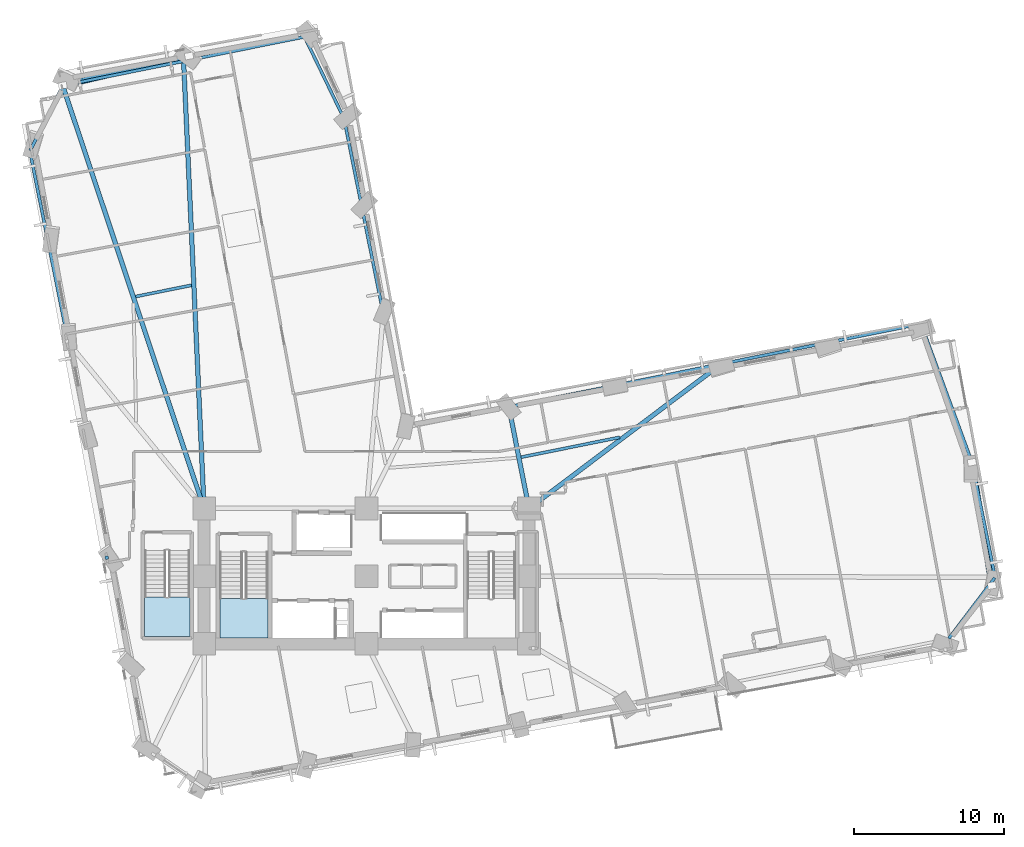
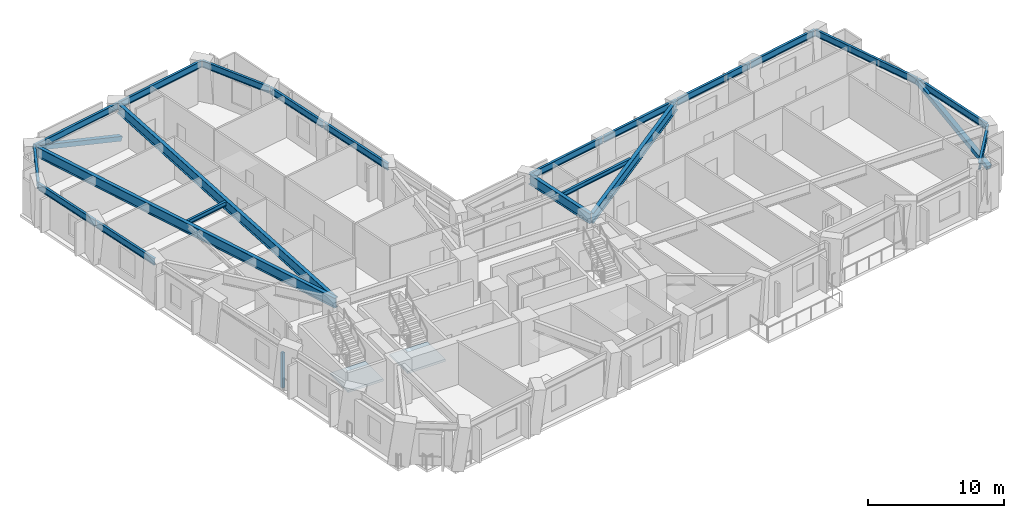
# One storey, part 2 of 16: 21 beams, 2 members, 2 slabs, 1 plate, 2 elements without a shape of their own.
"""IFC4 building model written with IfcOpenShell, lengths in metres."""

from ifc_helpers import new_model, si_unit, direction, frame, origin, origin_2d, place, context, subcontext, project, spatial, polyline, rectangle, hollow_rectangle, i_section, outline, extrude, material, layer, layer_set, material_profile, profile_set, type_object, element, aggregate, save


model = new_model("IFC4")

# Units and contexts
model_context = context("Model", 3, precision=1e-05, world=origin(), true_north=direction((0.0, 1.0)))
body_context = subcontext(model_context, "Body", "Model", "MODEL_VIEW")
ifc_project = project(units=[si_unit("LENGTHUNIT", "METRE"), si_unit("AREAUNIT", "SQUARE_METRE"), si_unit("VOLUMEUNIT", "CUBIC_METRE"), si_unit("PLANEANGLEUNIT", "RADIAN"), si_unit("MASSUNIT", "GRAM", prefix="KILO")], contexts=[model_context])

# Site, building, storey
site_placement = place(None, origin())
site = spatial("IfcSite", under=ifc_project, at=site_placement, CompositionType="ELEMENT")
building_placement = place(site_placement, origin())
building = spatial("IfcBuilding", under=site, at=building_placement, Name="Gaonmaruhae Medical Tower", CompositionType="ELEMENT")
storey_placement = place(building_placement, frame((0.0, 0.0, 67.0)))
storey = spatial("IfcBuildingStorey", under=building, at=storey_placement, Name="L15", CompositionType="ELEMENT", Elevation=67.0)

# Beams
ifc_material_1 = material(Name="Steel SM355", Category="steel")
ifc_material_profile_1 = material_profile(ifc_material_1, i_section(OverallWidth=0.199951171875, OverallDepth=0.39990234375, WebThickness=0.008056640625, FlangeThickness=0.012939453125, FilletRadius=0.012939453125, at=origin_2d()), Name="H-400x200x8x13")
ifc_profile_set_1 = profile_set([ifc_material_profile_1], Name="Steel SM355")
beam_type_1 = type_object("IfcBeamType", Name="FJ-01 Lower Zone Ward Floor Joist (H-400x200x8x13)", PredefinedType="JOIST", material=ifc_profile_set_1)
beam_1_placement = place(storey_placement, frame((41.640380859375, 21.531005859375, 3.580078125), z_axis=(-0.98027350291, -0.197645793007, 0.0), x_axis=(0.197645793007, -0.98027350291, 0.0)))
element("IfcBeam", 1, at=beam_1_placement, inside=storey, type_object=beam_type_1, Name="L15 Secondary Floor Joist FJ05", PredefinedType="JOIST", context=body_context, shape_type="SweptSolid", body=[
    extrude(i_section(OverallWidth=0.199951171875, OverallDepth=0.39990234375, WebThickness=0.008056640625, FlangeThickness=0.012939453125, FilletRadius=0.012939453125, at=origin_2d()), origin(), (0.0, 0.0, 1.0), 6.690185546875),
])
beam_2_placement = place(storey_placement, frame((13.16552734375, 31.63671875, 3.580078125), z_axis=(-0.980276852356, -0.197629179867, 0.0), x_axis=(0.197629179867, -0.980276852356, 0.0)))
element("IfcBeam", 2, at=beam_2_placement, inside=storey, type_object=beam_type_1, Name="L15 Secondary Floor Joist FJ09", PredefinedType="JOIST", context=body_context, shape_type="SweptSolid", body=[
    extrude(i_section(OverallWidth=0.199951171875, OverallDepth=0.39990234375, WebThickness=0.008056640625, FlangeThickness=0.012939453125, FilletRadius=0.012939453125, at=origin_2d()), origin(), (0.0, 0.0, 1.0), 3.78515625),
])

# Members
ifc_material_2 = material(Name="Steel SM420", Category="steel")
ifc_material_profile_2 = material_profile(ifc_material_2, hollow_rectangle(XDim=0.39990234375, YDim=0.39990234375, WallThickness=0.01611328125, at=origin_2d()), Name="RHS-400x400x16")
ifc_profile_set_2 = profile_set([ifc_material_profile_2], Name="Steel SM420")
member_type = type_object("IfcMemberType", Name="PB-01 Perimeter Solid-Bay Tube Brace Lower (RHS-400x400x16)", PredefinedType="BRACE", material=ifc_profile_set_2)
member_1_placement = place(storey_placement, frame((66.373779296875, 11.6767578125, 0.25), z_axis=(-0.148894782564, 0.917992970339, 0.367585704474), x_axis=(-0.987100200455, -0.160103698464, 0.0)))
element("IfcMember", 3, at=member_1_placement, inside=storey, type_object=member_type, Name="L15 Perimeter Tube Solid-Bay Brace E01-E02", PredefinedType="BRACE", context=body_context, shape_type="SweptSolid", body=[
    extrude(hollow_rectangle(XDim=0.39990234375, YDim=0.39990234375, WallThickness=0.01611328125, at=origin_2d()), origin(), (0.0, 0.0, 1.0), 8.923095703125),
])
member_2_placement = place(storey_placement, frame((13.00341796875, 46.88037109375, 0.25), z_axis=(-0.910169301628, -0.212889477764, 0.355344779942), x_axis=(0.227753757664, -0.973718761178, 0.0)))
element("IfcMember", 4, at=member_2_placement, inside=storey, type_object=member_type, Name="L15 Perimeter Tube Solid-Bay Brace N02-N03", PredefinedType="BRACE", context=body_context, shape_type="SweptSolid", body=[
    extrude(hollow_rectangle(XDim=0.39990234375, YDim=0.39990234375, WallThickness=0.01611328125, at=origin_2d()), origin(), (0.0, 0.0, 1.0), 9.23046875),
])

# Beams
ifc_material_profile_3 = material_profile(ifc_material_2, i_section(OverallWidth=0.300048828125, OverallDepth=0.89990234375, WebThickness=0.01611328125, FlangeThickness=0.028076171875, FilletRadius=0.01806640625, at=origin_2d()), Name="H-900x300x16x28")
ifc_profile_set_3 = profile_set([ifc_material_profile_3], Name="Steel SM420")
beam_type_2 = type_object("IfcBeamType", Name="PG-01 Zone 1 Radial Floor Girder (H-900x300x16x28)", PredefinedType="BEAM", material=ifc_profile_set_3)
beam_3_placement = place(storey_placement, frame((35.639892578125, 16.830078125, 3.330078125), z_axis=(0.799381580309, 0.600823675517, 0.0), x_axis=(-0.600823675517, 0.799381580309, 0.0)))
element("IfcBeam", 5, at=beam_3_placement, inside=storey, type_object=beam_type_2, Name="L15 Radial Primary Girder EN02", PredefinedType="BEAM", context=body_context, shape_type="SweptSolid", body=[
    extrude(i_section(OverallWidth=0.300048828125, OverallDepth=0.89990234375, WebThickness=0.01611328125, FlangeThickness=0.028076171875, FilletRadius=0.01806640625, at=origin_2d()), origin(), (0.0, 0.0, 1.0), 15.881103515625),
])
beam_4_placement = place(storey_placement, frame((35.59033203125, 16.84912109375, 3.330078125), z_axis=(-0.194704807117, 0.980861885326, 0.0), x_axis=(-0.980861885326, -0.194704807117, 0.0)))
element("IfcBeam", 6, at=beam_4_placement, inside=storey, type_object=beam_type_2, Name="L15 Radial Primary Girder EN04", PredefinedType="BEAM", context=body_context, shape_type="SweptSolid", body=[
    extrude(i_section(OverallWidth=0.300048828125, OverallDepth=0.89990234375, WebThickness=0.01611328125, FlangeThickness=0.028076171875, FilletRadius=0.01806640625, at=origin_2d()), origin(), (0.0, 0.0, 1.0), 6.787353515625),
])
beam_5_placement = place(storey_placement, frame((13.997802734375, 16.849853515625, 3.330078125), z_axis=(-0.045680906286, 0.998956082519, 0.0), x_axis=(-0.998956082519, -0.045680906286, 0.0)))
element("IfcBeam", 7, at=beam_5_placement, inside=storey, type_object=beam_type_2, Name="L15 Radial Primary Girder N02", PredefinedType="BEAM", context=body_context, shape_type="SweptSolid", body=[
    extrude(i_section(OverallWidth=0.300048828125, OverallDepth=0.89990234375, WebThickness=0.01611328125, FlangeThickness=0.028076171875, FilletRadius=0.01806640625, at=origin_2d()), origin(), (0.0, 0.0, 1.0), 29.667236328125),
])
beam_6_placement = place(storey_placement, frame((13.984130859375, 16.847412109375, 3.330078125), z_axis=(-0.317023436144, 0.948417703829, 0.0), x_axis=(-0.948417703829, -0.317023436144, 0.0)))
element("IfcBeam", 8, at=beam_6_placement, inside=storey, type_object=beam_type_2, Name="L15 Radial Primary Girder N03", PredefinedType="BEAM", context=body_context, shape_type="SweptSolid", body=[
    extrude(i_section(OverallWidth=0.300048828125, OverallDepth=0.89990234375, WebThickness=0.01611328125, FlangeThickness=0.028076171875, FilletRadius=0.01806640625, at=origin_2d()), origin(), (0.0, 0.0, 1.0), 29.544189453125),
])
ifc_material_profile_4 = material_profile(ifc_material_1, i_section(OverallWidth=0.199951171875, OverallDepth=0.60009765625, WebThickness=0.010986328125, FlangeThickness=0.01708984375, FilletRadius=0.012939453125, at=origin_2d()), Name="H-600x200x11x17")
ifc_profile_set_4 = profile_set([ifc_material_profile_4], Name="Steel SM355")
beam_type_3 = type_object("IfcBeamType", Name="SP-01 Lower Perimeter Spandrel Beam (H-600x200x11x17)", PredefinedType="SPANDREL", material=ifc_profile_set_4)
beam_7_placement = place(storey_placement, frame((63.509033203125, 8.159912109375, 3.47998046875), z_axis=(0.603917180237, 0.79704707478, 0.0), x_axis=(-0.79704707478, 0.603917180237, 0.0)))
element("IfcBeam", 9, at=beam_7_placement, inside=storey, type_object=beam_type_3, Name="L15 Perimeter Spandrel Beam S08-E01", PredefinedType="SPANDREL", context=body_context, shape_type="SweptSolid", body=[
    extrude(i_section(OverallWidth=0.199951171875, OverallDepth=0.60009765625, WebThickness=0.010986328125, FlangeThickness=0.01708984375, FilletRadius=0.012939453125, at=origin_2d()), origin(), (0.0, 0.0, 1.0), 5.056396484375),
])
beam_8_placement = place(storey_placement, frame((66.5791015625, 12.26123046875, 3.47998046875), z_axis=(-0.197654558417, 0.98027173556, 0.0), x_axis=(-0.98027173556, -0.197654558417, 0.0)))
element("IfcBeam", 10, at=beam_8_placement, inside=storey, type_object=beam_type_3, Name="L15 Perimeter Spandrel Beam E01-E02", PredefinedType="SPANDREL", context=body_context, shape_type="SweptSolid", body=[
    extrude(i_section(OverallWidth=0.199951171875, OverallDepth=0.60009765625, WebThickness=0.010986328125, FlangeThickness=0.01708984375, FilletRadius=0.012939453125, at=origin_2d()), origin(), (0.0, 0.0, 1.0), 7.719970703125),
])
beam_9_placement = place(storey_placement, frame((65.031494140625, 19.905517578125, 3.47998046875), z_axis=(-0.345141664306, 0.938550601491, 0.0), x_axis=(-0.938550601491, -0.345141664306, 0.0)))
element("IfcBeam", 11, at=beam_9_placement, inside=storey, type_object=beam_type_3, Name="L15 Perimeter Spandrel Beam E02-E03", PredefinedType="SPANDREL", context=body_context, shape_type="SweptSolid", body=[
    extrude(i_section(OverallWidth=0.199951171875, OverallDepth=0.60009765625, WebThickness=0.010986328125, FlangeThickness=0.01708984375, FilletRadius=0.012939453125, at=origin_2d()), origin(), (0.0, 0.0, 1.0), 9.7353515625),
])
beam_10_placement = place(storey_placement, frame((61.618408203125, 29.072265625, 3.47998046875), z_axis=(-0.980273981456, -0.197643419521, 0.0), x_axis=(0.197643419521, -0.980273981456, 0.0)))
element("IfcBeam", 12, at=beam_10_placement, inside=storey, type_object=beam_type_3, Name="L15 Perimeter Spandrel Beam E03-EN01", PredefinedType="SPANDREL", context=body_context, shape_type="SweptSolid", body=[
    extrude(i_section(OverallWidth=0.199951171875, OverallDepth=0.60009765625, WebThickness=0.010986328125, FlangeThickness=0.01708984375, FilletRadius=0.012939453125, at=origin_2d()), origin(), (0.0, 0.0, 1.0), 6.270263671875),
])
for number, where, z_axis, x_axis, name in (
    (13, (55.3935546875, 27.817138671875, 3.47998046875), (-0.980273512802, -0.197645743941, 0.0), (0.197645743941, -0.980273512802, 0.0), "L15 Perimeter Spandrel Beam EN01-EN02"),
    (14, (48.335693359375, 26.39404296875, 3.47998046875), (-0.980273512802, -0.197645743941, 0.0), (0.197645743941, -0.980273512802, 0.0), "L15 Perimeter Spandrel Beam EN02-EN03"),
    (15, (41.277587890625, 24.970947265625, 3.47998046875), (-0.980273512802, -0.197645743941, 0.0), (0.197645743941, -0.980273512802, 0.0), "L15 Perimeter Spandrel Beam EN03-EN04"),
    (16, (25.90625, 29.818359375, 3.47998046875), (-0.197645743941, 0.980273512802, 0.0), (-0.980273512802, -0.197645743941, 0.0), "L15 Perimeter Spandrel Beam NE01-NE02"),
):
    element("IfcBeam", number, at=place(storey_placement, frame(where, z_axis=z_axis, x_axis=x_axis)), inside=storey, type_object=beam_type_3, Name=name, PredefinedType="SPANDREL", context=body_context, shape_type="SweptSolid", body=[
        extrude(i_section(OverallWidth=0.199951171875, OverallDepth=0.60009765625, WebThickness=0.010986328125, FlangeThickness=0.01708984375, FilletRadius=0.012939453125, at=origin_2d()), origin(), (0.0, 0.0, 1.0), 7.119873046875),
    ])
beam_11_placement = place(storey_placement, frame((24.483154296875, 36.876220703125, 3.47998046875), z_axis=(-0.197662383914, 0.980270157653, 0.0), x_axis=(-0.980270157653, -0.197662383914, 0.0)))
element("IfcBeam", 17, at=beam_11_placement, inside=storey, type_object=beam_type_3, Name="L15 Perimeter Spandrel Beam NE02-NE03", PredefinedType="SPANDREL", context=body_context, shape_type="SweptSolid", body=[
    extrude(i_section(OverallWidth=0.199951171875, OverallDepth=0.60009765625, WebThickness=0.010986328125, FlangeThickness=0.01708984375, FilletRadius=0.012939453125, at=origin_2d()), origin(), (0.0, 0.0, 1.0), 5.919921875),
])
beam_12_placement = place(storey_placement, frame((23.287841796875, 42.754638671875, 3.47998046875), z_axis=(-0.434947253691, 0.900455932573, 0.0), x_axis=(-0.900455932573, -0.434947253691, 0.0)))
element("IfcBeam", 18, at=beam_12_placement, inside=storey, type_object=beam_type_3, Name="L15 Perimeter Spandrel Beam NE03-N01", PredefinedType="SPANDREL", context=body_context, shape_type="SweptSolid", body=[
    extrude(i_section(OverallWidth=0.199951171875, OverallDepth=0.60009765625, WebThickness=0.010986328125, FlangeThickness=0.01708984375, FilletRadius=0.012939453125, at=origin_2d()), origin(), (0.0, 0.0, 1.0), 5.95947265625),
])
beam_13_placement = place(storey_placement, frame((20.63916015625, 48.14892578125, 3.47998046875), z_axis=(-0.980270696607, -0.197659711054, 0.0), x_axis=(0.197659711054, -0.980270696607, 0.0)))
element("IfcBeam", 19, at=beam_13_placement, inside=storey, type_object=beam_type_3, Name="L15 Perimeter Spandrel Beam N01-N02", PredefinedType="SPANDREL", context=body_context, shape_type="SweptSolid", body=[
    extrude(i_section(OverallWidth=0.199951171875, OverallDepth=0.60009765625, WebThickness=0.010986328125, FlangeThickness=0.01708984375, FilletRadius=0.012939453125, at=origin_2d()), origin(), (0.0, 0.0, 1.0), 8.119873046875),
])
beam_14_placement = place(storey_placement, frame((12.60107421875, 46.528076171875, 3.47998046875), z_axis=(-0.980271871249, -0.197653885462, 0.0), x_axis=(0.197653885462, -0.980271871249, 0.0)))
element("IfcBeam", 20, at=beam_14_placement, inside=storey, type_object=beam_type_3, Name="L15 Perimeter Spandrel Beam N02-N03", PredefinedType="SPANDREL", context=body_context, shape_type="SweptSolid", body=[
    extrude(i_section(OverallWidth=0.199951171875, OverallDepth=0.60009765625, WebThickness=0.010986328125, FlangeThickness=0.01708984375, FilletRadius=0.012939453125, at=origin_2d()), origin(), (0.0, 0.0, 1.0), 8.1201171875),
])
beam_15_placement = place(storey_placement, frame((4.584228515625, 44.87939453125, 3.47998046875), z_axis=(-0.446643948615, -0.894711787765, 0.0), x_axis=(0.894711787765, -0.446643948615, 0.0)))
element("IfcBeam", 21, at=beam_15_placement, inside=storey, type_object=beam_type_3, Name="L15 Perimeter Spandrel Beam N03-W01", PredefinedType="SPANDREL", context=body_context, shape_type="SweptSolid", body=[
    extrude(i_section(OverallWidth=0.199951171875, OverallDepth=0.60009765625, WebThickness=0.010986328125, FlangeThickness=0.01708984375, FilletRadius=0.012939453125, at=origin_2d()), origin(), (0.0, 0.0, 1.0), 4.80078125),
])
beam_16_placement = place(storey_placement, frame((2.43017578125, 40.509033203125, 3.47998046875), z_axis=(0.197631387896, -0.980276407203, 0.0), x_axis=(0.980276407203, 0.197631387896, 0.0)))
element("IfcBeam", 22, at=beam_16_placement, inside=storey, type_object=beam_type_3, Name="L15 Perimeter Spandrel Beam W01-W02", PredefinedType="SPANDREL", context=body_context, shape_type="SweptSolid", body=[
    extrude(i_section(OverallWidth=0.199951171875, OverallDepth=0.60009765625, WebThickness=0.010986328125, FlangeThickness=0.01708984375, FilletRadius=0.012939453125, at=origin_2d()), origin(), (0.0, 0.0, 1.0), 6.320068359375),
])
beam_17_placement = place(storey_placement, frame((3.695068359375, 34.235107421875, 3.47998046875), z_axis=(0.1976712893, -0.980268361923, 0.0), x_axis=(0.980268361923, 0.1976712893, 0.0)))
element("IfcBeam", 23, at=beam_17_placement, inside=storey, type_object=beam_type_3, Name="L15 Perimeter Spandrel Beam W02-W03", PredefinedType="SPANDREL", context=body_context, shape_type="SweptSolid", body=[
    extrude(i_section(OverallWidth=0.199951171875, OverallDepth=0.60009765625, WebThickness=0.010986328125, FlangeThickness=0.01708984375, FilletRadius=0.012939453125, at=origin_2d()), origin(), (0.0, 0.0, 1.0), 6.52001953125),
])

# Plate
ifc_material_3 = material(Name="Anodised aluminium 6063-T6", Category="aluminium")
ifc_layer_1 = layer(ifc_material_3, 0.011962890625)
ifc_layer_set_1 = layer_set([ifc_layer_1], Name="Anodised aluminium 6063-T6")
plate_type = type_object("IfcPlateType", Name="PP-01 Interior Partition Corner Stiffener Plate", PredefinedType="SHEET", material=ifc_layer_set_1)
plate_placement = place(storey_placement, frame((7.532470703125, 13.529052734375, 0.0), z_axis=(0.0, 0.0, 1.0), x_axis=(-0.180862465458, 0.983508397823, 0.0)))
element("IfcPlate", 24, at=plate_placement, inside=storey, type_object=plate_type, Name="L15 Partition Corner Stiffener Plate PLT-L15-JGP-PW046", PredefinedType="SHEET", context=body_context, shape_type="SweptSolid", body=[
    extrude(rectangle(XDim=0.219970703125, YDim=0.219970703125, at=origin_2d()), origin(), (0.0, 0.0, 1.0), 3.1650390625),
])

# Stair, slab
ifc_material_4 = material(Name="Concrete C40/50", Category="concrete")
stair_type_1 = type_object("IfcStairType", Name="ST-T1 Primary Core Escape Dogleg Stair", PredefinedType="TWO_QUARTER_TURN_STAIR", material=ifc_material_4)
stair_1_placement = place(storey_placement, origin())
stair_1 = element("IfcStair", 25, at=stair_1_placement, inside=storey, type_object=stair_type_1, Name="L15 Protected Escape Stair ST-01", PredefinedType="TWO_QUARTER_TURN_STAIR")
ifc_layer_2 = layer(ifc_material_4, 0.199951171875)
ifc_layer_set_2 = layer_set([ifc_layer_2], Name="Concrete C40/50")
slab_type = type_object("IfcSlabType", Name="SL-200 Stair & Ramp Intermediate Concrete Landing", PredefinedType="LANDING", material=ifc_layer_set_2)
slab_1_placement = place(storey_placement, frame((0.0, 0.0, 1.800048828125)))
slab_1 = element("IfcSlab", 26, at=slab_1_placement, type_object=slab_type, Name="ST-01 landing 1", PredefinedType="LANDING", context=body_context, shape_type="SweptSolid", body=[
    extrude(outline(polyline([(15.050048828125, 10.820068359375), (15.050048828125, 8.2041015625), (18.25, 8.2041015625), (18.25, 10.820068359375), (15.050048828125, 10.820068359375)])), origin(), (0.0, 0.0, 1.0), 0.199951171875),
])
aggregate(stair_1, [slab_1])

stair_type_2 = type_object("IfcStairType", Name="ST-T2 Zone 1 Escape Dogleg Stair", PredefinedType="TWO_QUARTER_TURN_STAIR", material=ifc_material_4)
stair_2_placement = place(storey_placement, origin())
stair_2 = element("IfcStair", 27, at=stair_2_placement, inside=storey, type_object=stair_type_2, Name="L15 Protected Escape Stair ST-03", PredefinedType="TWO_QUARTER_TURN_STAIR")
slab_2_placement = place(storey_placement, frame((0.0, 0.0, 1.800048828125)))
slab_2 = element("IfcSlab", 28, at=slab_2_placement, type_object=slab_type, Name="ST-03 landing 1", PredefinedType="LANDING", context=body_context, shape_type="SweptSolid", body=[
    extrude(outline(polyline([(10.050048828125, 10.919921875), (10.050048828125, 8.300048828125), (13.050048828125, 8.300048828125), (13.050048828125, 10.919921875), (10.050048828125, 10.919921875)])), origin(), (0.0, 0.0, 1.0), 0.199951171875),
])
aggregate(stair_2, [slab_2])

save(model, "model.ifc")
